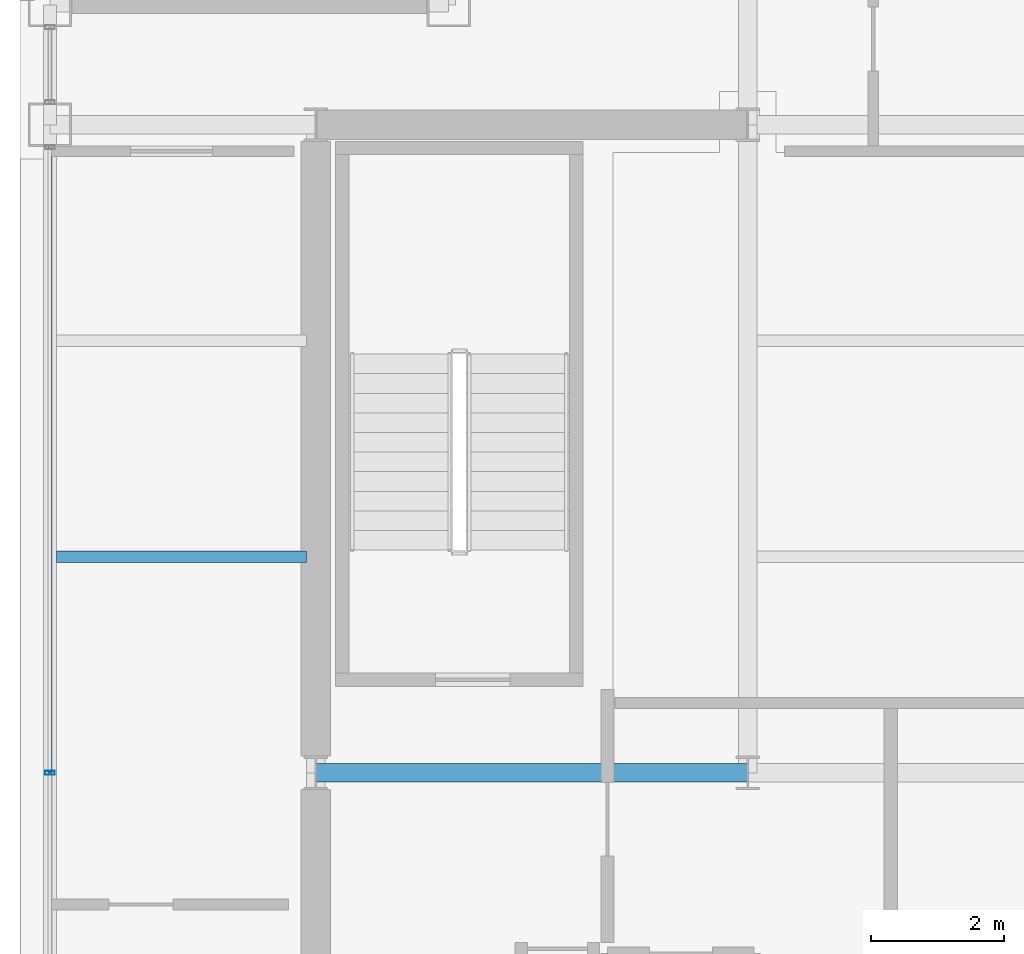
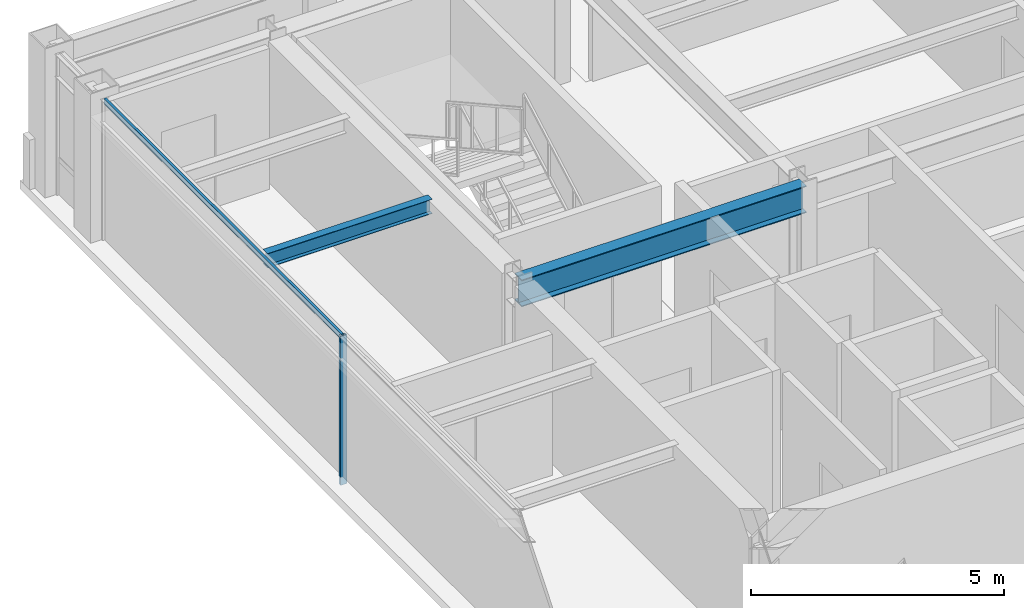
# One storey, part 6 of 20: 2 beams, 2 members, 1 element without a shape of its own.
"""IFC4 building model written with IfcOpenShell, lengths in metres."""

from ifc_helpers import new_model, si_unit, direction, frame, origin, origin_2d, place, context, subcontext, project, spatial, hollow_rectangle, i_section, extrude, material, layer, layer_set, material_profile, profile_set, type_object, element, aggregate, save


model = new_model("IFC4")

# Units and contexts
model_context = context("Model", 3, precision=1e-05, world=origin(), true_north=direction((0.0, 1.0)))
body_context = subcontext(model_context, "Body", "Model", "MODEL_VIEW")
ifc_project = project(units=[si_unit("LENGTHUNIT", "METRE"), si_unit("AREAUNIT", "SQUARE_METRE"), si_unit("VOLUMEUNIT", "CUBIC_METRE"), si_unit("PLANEANGLEUNIT", "RADIAN"), si_unit("MASSUNIT", "GRAM", prefix="KILO")], contexts=[model_context])

# Site, building, storey
site_placement = place(None, origin())
site = spatial("IfcSite", under=ifc_project, at=site_placement, CompositionType="ELEMENT")
building_placement = place(site_placement, origin())
building = spatial("IfcBuilding", under=site, at=building_placement, Name="Brelmoor Portico Tower", CompositionType="ELEMENT")
storey_placement = place(building_placement, frame((0.0, 0.0, 218.39990234375)))
storey = spatial("IfcBuildingStorey", under=building, at=storey_placement, Name="L57", CompositionType="ELEMENT", Elevation=218.39990234375)

# Beams
ifc_material_1 = material(Name="Steel Q355B", Category="steel")
ifc_material_profile_1 = material_profile(ifc_material_1, i_section(OverallWidth=0.175048828125, OverallDepth=0.35009765625, WebThickness=0.007080078125, FlangeThickness=0.010986328125, at=origin_2d()), Name="HN 350x175x7x11")
ifc_profile_set_1 = profile_set([ifc_material_profile_1], Name="Steel Q355B")
beam_type_1 = type_object("IfcBeamType", Name="BM-JS-350", PredefinedType="JOIST", material=ifc_profile_set_1)
beam_1_placement = place(storey_placement, frame((-18.449951171875, 3.25, 3.22509765625), z_axis=(1.0, 0.0, 0.0), x_axis=(0.0, 1.0, 0.0)))
element("IfcBeam", 1, at=beam_1_placement, inside=storey, type_object=beam_type_1, Name="L57 Secondary Wing Joist JS-W09", PredefinedType="JOIST", context=body_context, shape_type="SweptSolid", body=[
    extrude(i_section(OverallWidth=0.175048828125, OverallDepth=0.35009765625, WebThickness=0.007080078125, FlangeThickness=0.010986328125, at=origin_2d()), origin(), (0.0, 0.0, 1.0), 3.760009765625),
])
ifc_material_profile_2 = material_profile(ifc_material_1, i_section(OverallWidth=0.280029296875, OverallDepth=0.64990234375, WebThickness=0.012939453125, FlangeThickness=0.02197265625, at=origin_2d()), Name="HN 650x280x13x22")
ifc_profile_set_2 = profile_set([ifc_material_profile_2], Name="Steel Q355B")
beam_type_2 = type_object("IfcBeamType", Name="BM-PG-650", PredefinedType="BEAM", material=ifc_profile_set_2)
beam_2_placement = place(storey_placement, frame((-14.550048828125, 0.0, 3.0751953125), z_axis=(1.0, 0.0, 0.0), x_axis=(0.0, 1.0, 0.0)))
element("IfcBeam", 2, at=beam_2_placement, inside=storey, type_object=beam_type_2, Name="L57 Primary Floor Girder PG-16", PredefinedType="BEAM", context=body_context, shape_type="SweptSolid", body=[
    extrude(i_section(OverallWidth=0.280029296875, OverallDepth=0.64990234375, WebThickness=0.012939453125, FlangeThickness=0.02197265625, at=origin_2d()), origin(), (0.0, 0.0, 1.0), 6.5),
])

# Curtain wall, members
ifc_material_2 = material(Name="Anodised Aluminium Alloy 6063-T6", Category="aluminium")
ifc_layer = layer(ifc_material_2, 0.179931640625)
ifc_layer_set = layer_set([ifc_layer], Name="Anodised Aluminium Alloy 6063-T6")
curtain_wall_type = type_object("IfcCurtainWallType", Name="CW-TOWER-Z4-XB", PredefinedType="NOTDEFINED", material=ifc_layer_set)
curtain_wall_placement = place(storey_placement, origin())
curtain_wall = element("IfcCurtainWall", 3, at=curtain_wall_placement, inside=storey, type_object=curtain_wall_type, Name="L57 Curtain Wall CW-L57-03-2", PredefinedType="NOTDEFINED")
ifc_material_profile_3 = material_profile(ifc_material_2, hollow_rectangle(XDim=0.06005859375, YDim=0.14990234375, WallThickness=0.00390625, at=origin_2d()), Name="ALU MULLION 60x150")
ifc_profile_set_3 = profile_set([ifc_material_profile_3], Name="Anodised Aluminium Alloy 6063-T6")
member_type_1 = type_object("IfcMemberType", Name="MB-CW-MULL-150", PredefinedType="MULLION", material=ifc_profile_set_3)
member_1_placement = place(storey_placement, frame((-18.550048828125, 0.0, -0.199951171875), z_axis=(0.0, 0.0, 1.0), x_axis=(0.0, 1.0, 0.0)))
member_1 = element("IfcMember", 4, at=member_1_placement, type_object=member_type_1, Name="CW-L57-03-2 Mullion 01", PredefinedType="MULLION", context=body_context, shape_type="SweptSolid", body=[
    extrude(hollow_rectangle(XDim=0.06005859375, YDim=0.14990234375, WallThickness=0.00390625, at=origin_2d()), origin(), (0.0, 0.0, 1.0), 3.60009765625),
])
ifc_material_profile_4 = material_profile(ifc_material_2, hollow_rectangle(XDim=0.06005859375, YDim=0.125, WallThickness=0.00341796875, at=origin_2d()), Name="ALU TRANSOM 60x125")
ifc_profile_set_4 = profile_set([ifc_material_profile_4], Name="Anodised Aluminium Alloy 6063-T6")
member_type_2 = type_object("IfcMemberType", Name="MB-CW-TRAN-125", PredefinedType="USERDEFINED", material=ifc_profile_set_4)
member_2_placement = place(storey_placement, frame((-18.550048828125, 0.0, 3.337646484375), z_axis=(0.0, 1.0, 0.0), x_axis=(-1.0, 0.0, 0.0)))
member_2 = element("IfcMember", 5, at=member_2_placement, type_object=member_type_2, Name="CW-L57-03-2 Transom 1-01", ObjectType="TRANSOM", PredefinedType="USERDEFINED", context=body_context, shape_type="SweptSolid", body=[
    extrude(hollow_rectangle(XDim=0.06005859375, YDim=0.125, WallThickness=0.00341796875, at=origin_2d()), origin(), (0.0, 0.0, 1.0), 9.4150390625),
])
aggregate(curtain_wall, [member_1, member_2])

save(model, "model.ifc")
